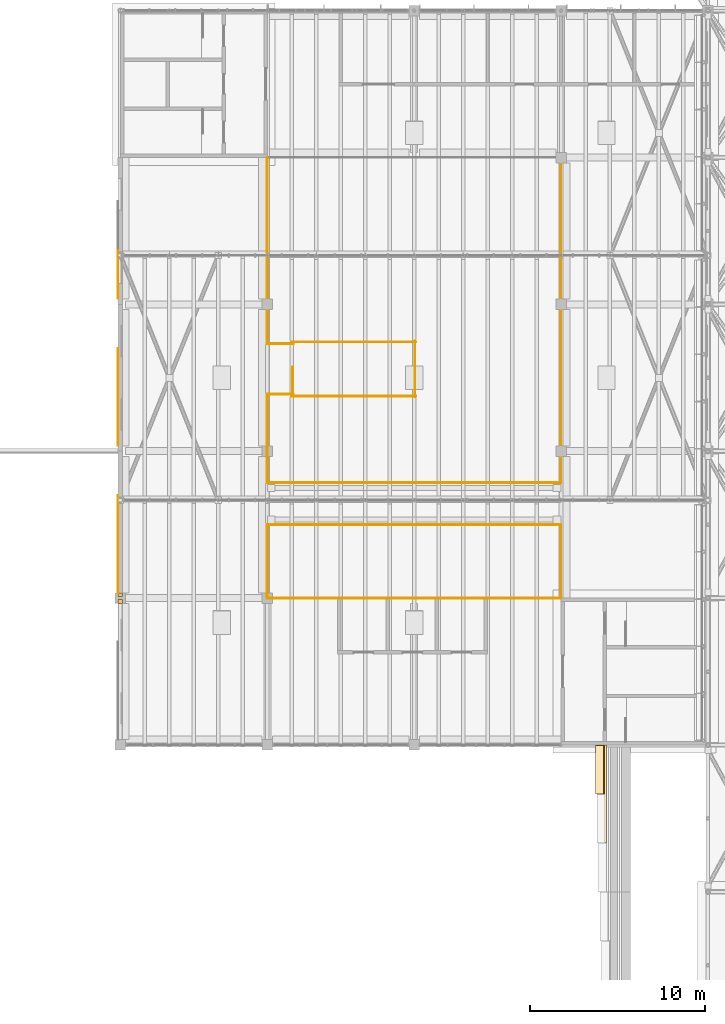
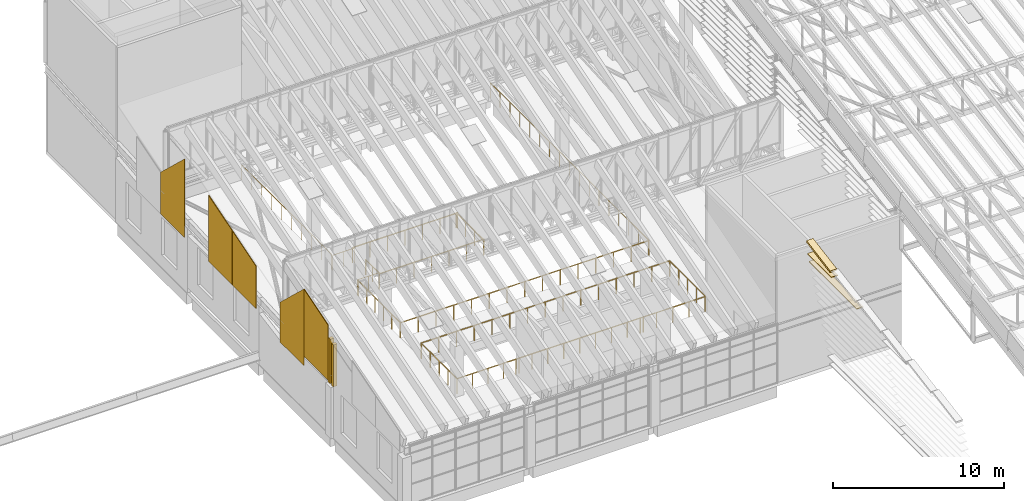
# One storey, part 77 of 91: 16 railings, 10 coverings.
"""IFC4 building model written with IfcOpenShell, lengths in metres."""

from ifc_helpers import new_model, si_unit, direction, frame, origin, origin_2d, place, context, subcontext, project, spatial, polyline, rectangle, circle, outline, extrude, material, layer, layer_set, material_profile, profile_set, type_object, element, save


model = new_model("IFC4")

# Units and contexts
model_context = context("Model", 3, precision=1e-05, world=origin(), true_north=direction((0.0, 1.0)))
body_context = subcontext(model_context, "Body", "Model", "MODEL_VIEW")
ifc_project = project(units=[si_unit("LENGTHUNIT", "METRE"), si_unit("AREAUNIT", "SQUARE_METRE"), si_unit("VOLUMEUNIT", "CUBIC_METRE"), si_unit("PLANEANGLEUNIT", "RADIAN"), si_unit("MASSUNIT", "GRAM", prefix="KILO")], contexts=[model_context])

# Site, building, storey
site_placement = place(None, origin())
site = spatial("IfcSite", under=ifc_project, at=site_placement, CompositionType="ELEMENT")
building_placement = place(site_placement, origin())
building = spatial("IfcBuilding", under=site, at=building_placement, Name="Almond Square Museum", CompositionType="ELEMENT")
storey_placement = place(building_placement, frame((0.0, 0.0, 30.0)))
storey = spatial("IfcBuildingStorey", under=building, at=storey_placement, Name="L05", CompositionType="ELEMENT", Elevation=30.0)

# Railings
ifc_material_1 = material(Name="Laminated glass and stainless steel", Category="steel")
railing_type_1 = type_object("IfcRailingType", Name="Atrium bridge guard 1100", PredefinedType="GUARDRAIL", material=ifc_material_1)
railing_1_placement = place(storey_placement, frame((81.60009765625, 79.800048828125, 0.0)))
element("IfcRailing", 1, at=railing_1_placement, inside=storey, type_object=railing_type_1, Name="BR-L05-1 bridge guard south", PredefinedType="GUARDRAIL", context=body_context, shape_type="SweptSolid", body=[
    extrude(circle(Radius=0.02392578125, at=origin_2d()), frame((0.0, 0.0, 1.076171875), z_axis=(1.0, 0.0, 0.0), x_axis=(0.0, 1.0, 0.0)), (0.0, 0.0, 1.0), 16.7998046875),
    extrude(circle(Radius=0.02099609375, at=origin_2d()), origin(), (0.0, 0.0, 1.0), 1.052001953125),
    extrude(circle(Radius=0.02099609375, at=origin_2d()), frame((1.199951171875, 0.0, 0.0)), (0.0, 0.0, 1.0), 1.052001953125),
    extrude(circle(Radius=0.02099609375, at=origin_2d()), frame((2.39990234375, 0.0, 0.0)), (0.0, 0.0, 1.0), 1.052001953125),
    extrude(circle(Radius=0.02099609375, at=origin_2d()), frame((3.599853515625, 0.0, 0.0)), (0.0, 0.0, 1.0), 1.052001953125),
    extrude(circle(Radius=0.02099609375, at=origin_2d()), frame((4.800048828125, 0.0, 0.0)), (0.0, 0.0, 1.0), 1.052001953125),
    extrude(circle(Radius=0.02099609375, at=origin_2d()), frame((6.0, 0.0, 0.0)), (0.0, 0.0, 1.0), 1.052001953125),
    extrude(circle(Radius=0.02099609375, at=origin_2d()), frame((7.199951171875, 0.0, 0.0)), (0.0, 0.0, 1.0), 1.052001953125),
    extrude(circle(Radius=0.02099609375, at=origin_2d()), frame((8.39990234375, 0.0, 0.0)), (0.0, 0.0, 1.0), 1.052001953125),
    extrude(circle(Radius=0.02099609375, at=origin_2d()), frame((9.599853515625, 0.0, 0.0)), (0.0, 0.0, 1.0), 1.052001953125),
    extrude(circle(Radius=0.02099609375, at=origin_2d()), frame((10.7998046875, 0.0, 0.0)), (0.0, 0.0, 1.0), 1.052001953125),
    extrude(circle(Radius=0.02099609375, at=origin_2d()), frame((11.999755859375, 0.0, 0.0)), (0.0, 0.0, 1.0), 1.052001953125),
    extrude(circle(Radius=0.02099609375, at=origin_2d()), frame((13.199951171875, 0.0, 0.0)), (0.0, 0.0, 1.0), 1.052001953125),
    extrude(circle(Radius=0.02099609375, at=origin_2d()), frame((14.39990234375, 0.0, 0.0)), (0.0, 0.0, 1.0), 1.052001953125),
    extrude(circle(Radius=0.02099609375, at=origin_2d()), frame((15.599853515625, 0.0, 0.0)), (0.0, 0.0, 1.0), 1.052001953125),
    extrude(circle(Radius=0.02099609375, at=origin_2d()), frame((16.7998046875, 0.0, 0.0)), (0.0, 0.0, 1.0), 1.052001953125),
])
railing_2_placement = place(storey_placement, frame((81.60009765625, 82.199951171875, 0.0)))
element("IfcRailing", 2, at=railing_2_placement, inside=storey, type_object=railing_type_1, Name="BR-L05-1 bridge guard north", PredefinedType="GUARDRAIL", context=body_context, shape_type="SweptSolid", body=[
    extrude(circle(Radius=0.02392578125, at=origin_2d()), frame((0.0, 0.0, 1.076171875), z_axis=(1.0, 0.0, 0.0), x_axis=(0.0, 1.0, 0.0)), (0.0, 0.0, 1.0), 16.7998046875),
    extrude(circle(Radius=0.02099609375, at=origin_2d()), origin(), (0.0, 0.0, 1.0), 1.052001953125),
    extrude(circle(Radius=0.02099609375, at=origin_2d()), frame((1.199951171875, 0.0, 0.0)), (0.0, 0.0, 1.0), 1.052001953125),
    extrude(circle(Radius=0.02099609375, at=origin_2d()), frame((2.39990234375, 0.0, 0.0)), (0.0, 0.0, 1.0), 1.052001953125),
    extrude(circle(Radius=0.02099609375, at=origin_2d()), frame((3.599853515625, 0.0, 0.0)), (0.0, 0.0, 1.0), 1.052001953125),
    extrude(circle(Radius=0.02099609375, at=origin_2d()), frame((4.800048828125, 0.0, 0.0)), (0.0, 0.0, 1.0), 1.052001953125),
    extrude(circle(Radius=0.02099609375, at=origin_2d()), frame((6.0, 0.0, 0.0)), (0.0, 0.0, 1.0), 1.052001953125),
    extrude(circle(Radius=0.02099609375, at=origin_2d()), frame((7.199951171875, 0.0, 0.0)), (0.0, 0.0, 1.0), 1.052001953125),
    extrude(circle(Radius=0.02099609375, at=origin_2d()), frame((8.39990234375, 0.0, 0.0)), (0.0, 0.0, 1.0), 1.052001953125),
    extrude(circle(Radius=0.02099609375, at=origin_2d()), frame((9.599853515625, 0.0, 0.0)), (0.0, 0.0, 1.0), 1.052001953125),
    extrude(circle(Radius=0.02099609375, at=origin_2d()), frame((10.7998046875, 0.0, 0.0)), (0.0, 0.0, 1.0), 1.052001953125),
    extrude(circle(Radius=0.02099609375, at=origin_2d()), frame((11.999755859375, 0.0, 0.0)), (0.0, 0.0, 1.0), 1.052001953125),
    extrude(circle(Radius=0.02099609375, at=origin_2d()), frame((13.199951171875, 0.0, 0.0)), (0.0, 0.0, 1.0), 1.052001953125),
    extrude(circle(Radius=0.02099609375, at=origin_2d()), frame((14.39990234375, 0.0, 0.0)), (0.0, 0.0, 1.0), 1.052001953125),
    extrude(circle(Radius=0.02099609375, at=origin_2d()), frame((15.599853515625, 0.0, 0.0)), (0.0, 0.0, 1.0), 1.052001953125),
    extrude(circle(Radius=0.02099609375, at=origin_2d()), frame((16.7998046875, 0.0, 0.0)), (0.0, 0.0, 1.0), 1.052001953125),
])
ifc_material_2 = material(Name="Laminated glass and stainless steel", Category="steel")
railing_type_2 = type_object("IfcRailingType", Name="Atrium guard 1100 glass balustrade", PredefinedType="GUARDRAIL", material=ifc_material_2)
railing_3_placement = place(storey_placement, frame((81.60009765625, 75.60009765625, 0.0)))
element("IfcRailing", 3, at=railing_3_placement, inside=storey, type_object=railing_type_2, Name="L05 atrium guard 1", PredefinedType="GUARDRAIL", context=body_context, shape_type="SweptSolid", body=[
    extrude(circle(Radius=0.02392578125, at=origin_2d()), frame((0.0, 0.0, 1.076171875), z_axis=(0.0, 1.0, 0.0), x_axis=(-1.0, 0.0, 0.0)), (0.0, 0.0, 1.0), 4.14990234375),
    extrude(circle(Radius=0.02099609375, at=origin_2d()), origin(), (0.0, 0.0, 1.0), 1.052001953125),
    extrude(circle(Radius=0.02099609375, at=origin_2d()), frame((0.0, 1.03759765625, 0.0)), (0.0, 0.0, 1.0), 1.052001953125),
    extrude(circle(Radius=0.02099609375, at=origin_2d()), frame((0.0, 2.074951171875, 0.0)), (0.0, 0.0, 1.0), 1.052001953125),
    extrude(circle(Radius=0.02099609375, at=origin_2d()), frame((0.0, 3.1123046875, 0.0)), (0.0, 0.0, 1.0), 1.052001953125),
    extrude(circle(Radius=0.02099609375, at=origin_2d()), frame((0.0, 4.14990234375, 0.0)), (0.0, 0.0, 1.0), 1.052001953125),
])
railing_4_placement = place(storey_placement, frame((81.60009765625, 82.25, 0.0)))
element("IfcRailing", 4, at=railing_4_placement, inside=storey, type_object=railing_type_2, Name="L05 atrium guard 2", PredefinedType="GUARDRAIL", context=body_context, shape_type="SweptSolid", body=[
    extrude(circle(Radius=0.02392578125, at=origin_2d()), frame((0.0, 0.0, 1.076171875), z_axis=(0.0, 1.0, 0.0), x_axis=(-1.0, 0.0, 0.0)), (0.0, 0.0, 1.0), 4.89990234375),
    extrude(circle(Radius=0.02099609375, at=origin_2d()), origin(), (0.0, 0.0, 1.0), 1.052001953125),
    extrude(circle(Radius=0.02099609375, at=origin_2d()), frame((0.0, 0.97998046875, 0.0)), (0.0, 0.0, 1.0), 1.052001953125),
    extrude(circle(Radius=0.02099609375, at=origin_2d()), frame((0.0, 1.9599609375, 0.0)), (0.0, 0.0, 1.0), 1.052001953125),
    extrude(circle(Radius=0.02099609375, at=origin_2d()), frame((0.0, 2.93994140625, 0.0)), (0.0, 0.0, 1.0), 1.052001953125),
    extrude(circle(Radius=0.02099609375, at=origin_2d()), frame((0.0, 3.919921875, 0.0)), (0.0, 0.0, 1.0), 1.052001953125),
    extrude(circle(Radius=0.02099609375, at=origin_2d()), frame((0.0, 4.89990234375, 0.0)), (0.0, 0.0, 1.0), 1.052001953125),
])
railing_5_placement = place(storey_placement, frame((81.60009765625, 90.25, 0.0)))
element("IfcRailing", 5, at=railing_5_placement, inside=storey, type_object=railing_type_2, Name="L05 atrium guard 3", PredefinedType="GUARDRAIL", context=body_context, shape_type="SweptSolid", body=[
    extrude(circle(Radius=0.02392578125, at=origin_2d()), frame((0.0, 0.0, 1.076171875), z_axis=(0.0, 1.0, 0.0), x_axis=(-1.0, 0.0, 0.0)), (0.0, 0.0, 1.0), 10.550048828125),
    extrude(circle(Radius=0.02099609375, at=origin_2d()), origin(), (0.0, 0.0, 1.0), 1.052001953125),
    extrude(circle(Radius=0.02099609375, at=origin_2d()), frame((0.0, 1.172119140625, 0.0)), (0.0, 0.0, 1.0), 1.052001953125),
    extrude(circle(Radius=0.02099609375, at=origin_2d()), frame((0.0, 2.344482421875, 0.0)), (0.0, 0.0, 1.0), 1.052001953125),
    extrude(circle(Radius=0.02099609375, at=origin_2d()), frame((0.0, 3.5166015625, 0.0)), (0.0, 0.0, 1.0), 1.052001953125),
    extrude(circle(Radius=0.02099609375, at=origin_2d()), frame((0.0, 4.68896484375, 0.0)), (0.0, 0.0, 1.0), 1.052001953125),
    extrude(circle(Radius=0.02099609375, at=origin_2d()), frame((0.0, 5.861083984375, 0.0)), (0.0, 0.0, 1.0), 1.052001953125),
    extrude(circle(Radius=0.02099609375, at=origin_2d()), frame((0.0, 7.033447265625, 0.0)), (0.0, 0.0, 1.0), 1.052001953125),
    extrude(circle(Radius=0.02099609375, at=origin_2d()), frame((0.0, 8.20556640625, 0.0)), (0.0, 0.0, 1.0), 1.052001953125),
    extrude(circle(Radius=0.02099609375, at=origin_2d()), frame((0.0, 9.3779296875, 0.0)), (0.0, 0.0, 1.0), 1.052001953125),
    extrude(circle(Radius=0.02099609375, at=origin_2d()), frame((0.0, 10.550048828125, 0.0)), (0.0, 0.0, 1.0), 1.052001953125),
])
railing_6_placement = place(storey_placement, frame((98.39990234375, 75.60009765625, 0.0)))
element("IfcRailing", 6, at=railing_6_placement, inside=storey, type_object=railing_type_2, Name="L05 atrium guard 4", PredefinedType="GUARDRAIL", context=body_context, shape_type="SweptSolid", body=[
    extrude(circle(Radius=0.02392578125, at=origin_2d()), frame((0.0, 0.0, 1.076171875), z_axis=(0.0, 1.0, 0.0), x_axis=(-1.0, 0.0, 0.0)), (0.0, 0.0, 1.0), 4.14990234375),
    extrude(circle(Radius=0.02099609375, at=origin_2d()), origin(), (0.0, 0.0, 1.0), 1.052001953125),
    extrude(circle(Radius=0.02099609375, at=origin_2d()), frame((0.0, 1.03759765625, 0.0)), (0.0, 0.0, 1.0), 1.052001953125),
    extrude(circle(Radius=0.02099609375, at=origin_2d()), frame((0.0, 2.074951171875, 0.0)), (0.0, 0.0, 1.0), 1.052001953125),
    extrude(circle(Radius=0.02099609375, at=origin_2d()), frame((0.0, 3.1123046875, 0.0)), (0.0, 0.0, 1.0), 1.052001953125),
    extrude(circle(Radius=0.02099609375, at=origin_2d()), frame((0.0, 4.14990234375, 0.0)), (0.0, 0.0, 1.0), 1.052001953125),
])
railing_7_placement = place(storey_placement, frame((98.39990234375, 82.25, 0.0)))
element("IfcRailing", 7, at=railing_7_placement, inside=storey, type_object=railing_type_2, Name="L05 atrium guard 5", PredefinedType="GUARDRAIL", context=body_context, shape_type="SweptSolid", body=[
    extrude(circle(Radius=0.02392578125, at=origin_2d()), frame((0.0, 0.0, 1.076171875), z_axis=(0.0, 1.0, 0.0), x_axis=(-1.0, 0.0, 0.0)), (0.0, 0.0, 1.0), 18.550048828125),
    extrude(circle(Radius=0.02099609375, at=origin_2d()), origin(), (0.0, 0.0, 1.0), 1.052001953125),
    extrude(circle(Radius=0.02099609375, at=origin_2d()), frame((0.0, 1.159423828125, 0.0)), (0.0, 0.0, 1.0), 1.052001953125),
    extrude(circle(Radius=0.02099609375, at=origin_2d()), frame((0.0, 2.31884765625, 0.0)), (0.0, 0.0, 1.0), 1.052001953125),
    extrude(circle(Radius=0.02099609375, at=origin_2d()), frame((0.0, 3.47802734375, 0.0)), (0.0, 0.0, 1.0), 1.052001953125),
    extrude(circle(Radius=0.02099609375, at=origin_2d()), frame((0.0, 4.637451171875, 0.0)), (0.0, 0.0, 1.0), 1.052001953125),
    extrude(circle(Radius=0.02099609375, at=origin_2d()), frame((0.0, 5.796875, 0.0)), (0.0, 0.0, 1.0), 1.052001953125),
    extrude(circle(Radius=0.02099609375, at=origin_2d()), frame((0.0, 6.956298828125, 0.0)), (0.0, 0.0, 1.0), 1.052001953125),
    extrude(circle(Radius=0.02099609375, at=origin_2d()), frame((0.0, 8.11572265625, 0.0)), (0.0, 0.0, 1.0), 1.052001953125),
    extrude(circle(Radius=0.02099609375, at=origin_2d()), frame((0.0, 9.27490234375, 0.0)), (0.0, 0.0, 1.0), 1.052001953125),
    extrude(circle(Radius=0.02099609375, at=origin_2d()), frame((0.0, 10.434326171875, 0.0)), (0.0, 0.0, 1.0), 1.052001953125),
    extrude(circle(Radius=0.02099609375, at=origin_2d()), frame((0.0, 11.59375, 0.0)), (0.0, 0.0, 1.0), 1.052001953125),
    extrude(circle(Radius=0.02099609375, at=origin_2d()), frame((0.0, 12.753173828125, 0.0)), (0.0, 0.0, 1.0), 1.052001953125),
    extrude(circle(Radius=0.02099609375, at=origin_2d()), frame((0.0, 13.91259765625, 0.0)), (0.0, 0.0, 1.0), 1.052001953125),
    extrude(circle(Radius=0.02099609375, at=origin_2d()), frame((0.0, 15.072021484375, 0.0)), (0.0, 0.0, 1.0), 1.052001953125),
    extrude(circle(Radius=0.02099609375, at=origin_2d()), frame((0.0, 16.231201171875, 0.0)), (0.0, 0.0, 1.0), 1.052001953125),
    extrude(circle(Radius=0.02099609375, at=origin_2d()), frame((0.0, 17.390625, 0.0)), (0.0, 0.0, 1.0), 1.052001953125),
    extrude(circle(Radius=0.02099609375, at=origin_2d()), frame((0.0, 18.550048828125, 0.0)), (0.0, 0.0, 1.0), 1.052001953125),
])
railing_8_placement = place(storey_placement, frame((81.60009765625, 75.60009765625, 0.0)))
element("IfcRailing", 8, at=railing_8_placement, inside=storey, type_object=railing_type_2, Name="L05 atrium guard 6", PredefinedType="GUARDRAIL", context=body_context, shape_type="SweptSolid", body=[
    extrude(circle(Radius=0.02392578125, at=origin_2d()), frame((0.0, 0.0, 1.076171875), z_axis=(1.0, 0.0, 0.0), x_axis=(0.0, 1.0, 0.0)), (0.0, 0.0, 1.0), 4.199951171875),
    extrude(circle(Radius=0.02099609375, at=origin_2d()), origin(), (0.0, 0.0, 1.0), 1.052001953125),
    extrude(circle(Radius=0.02099609375, at=origin_2d()), frame((1.050048828125, 0.0, 0.0)), (0.0, 0.0, 1.0), 1.052001953125),
    extrude(circle(Radius=0.02099609375, at=origin_2d()), frame((2.10009765625, 0.0, 0.0)), (0.0, 0.0, 1.0), 1.052001953125),
    extrude(circle(Radius=0.02099609375, at=origin_2d()), frame((3.14990234375, 0.0, 0.0)), (0.0, 0.0, 1.0), 1.052001953125),
    extrude(circle(Radius=0.02099609375, at=origin_2d()), frame((4.199951171875, 0.0, 0.0)), (0.0, 0.0, 1.0), 1.052001953125),
])
railing_9_placement = place(storey_placement, frame((94.0, 75.60009765625, 0.0)))
element("IfcRailing", 9, at=railing_9_placement, inside=storey, type_object=railing_type_2, Name="L05 atrium guard 7", PredefinedType="GUARDRAIL", context=body_context, shape_type="SweptSolid", body=[
    extrude(circle(Radius=0.02392578125, at=origin_2d()), frame((0.0, 0.0, 1.076171875), z_axis=(1.0, 0.0, 0.0), x_axis=(0.0, 1.0, 0.0)), (0.0, 0.0, 1.0), 4.39990234375),
    extrude(circle(Radius=0.02099609375, at=origin_2d()), origin(), (0.0, 0.0, 1.0), 1.052001953125),
    extrude(circle(Radius=0.02099609375, at=origin_2d()), frame((1.10009765625, 0.0, 0.0)), (0.0, 0.0, 1.0), 1.052001953125),
    extrude(circle(Radius=0.02099609375, at=origin_2d()), frame((2.199951171875, 0.0, 0.0)), (0.0, 0.0, 1.0), 1.052001953125),
    extrude(circle(Radius=0.02099609375, at=origin_2d()), frame((3.2998046875, 0.0, 0.0)), (0.0, 0.0, 1.0), 1.052001953125),
    extrude(circle(Radius=0.02099609375, at=origin_2d()), frame((4.39990234375, 0.0, 0.0)), (0.0, 0.0, 1.0), 1.052001953125),
])
railing_10_placement = place(storey_placement, frame((85.60009765625, 75.60009765625, 0.0)))
element("IfcRailing", 10, at=railing_10_placement, inside=storey, type_object=railing_type_2, Name="L05 atrium lift bank guard", PredefinedType="GUARDRAIL", context=body_context, shape_type="SweptSolid", body=[
    extrude(circle(Radius=0.02392578125, at=origin_2d()), frame((0.0, 0.0, 1.076171875), z_axis=(1.0, 0.0, 0.0), x_axis=(0.0, 1.0, 0.0)), (0.0, 0.0, 1.0), 8.599853515625),
    extrude(circle(Radius=0.02099609375, at=origin_2d()), origin(), (0.0, 0.0, 1.0), 1.052001953125),
    extrude(circle(Radius=0.02099609375, at=origin_2d()), frame((1.074951171875, 0.0, 0.0)), (0.0, 0.0, 1.0), 1.052001953125),
    extrude(circle(Radius=0.02099609375, at=origin_2d()), frame((2.14990234375, 0.0, 0.0)), (0.0, 0.0, 1.0), 1.052001953125),
    extrude(circle(Radius=0.02099609375, at=origin_2d()), frame((3.224853515625, 0.0, 0.0)), (0.0, 0.0, 1.0), 1.052001953125),
    extrude(circle(Radius=0.02099609375, at=origin_2d()), frame((4.2998046875, 0.0, 0.0)), (0.0, 0.0, 1.0), 1.052001953125),
    extrude(circle(Radius=0.02099609375, at=origin_2d()), frame((5.375, 0.0, 0.0)), (0.0, 0.0, 1.0), 1.052001953125),
    extrude(circle(Radius=0.02099609375, at=origin_2d()), frame((6.449951171875, 0.0, 0.0)), (0.0, 0.0, 1.0), 1.052001953125),
    extrude(circle(Radius=0.02099609375, at=origin_2d()), frame((7.52490234375, 0.0, 0.0)), (0.0, 0.0, 1.0), 1.052001953125),
    extrude(circle(Radius=0.02099609375, at=origin_2d()), frame((8.599853515625, 0.0, 0.0)), (0.0, 0.0, 1.0), 1.052001953125),
])

# Coverings
ifc_material_3 = material(Name="Cedar timber fascia board", Category="wood")
ifc_layer_1 = layer(ifc_material_3, 0.0400390625)
ifc_layer_set_1 = layer_set([ifc_layer_1], Name="Cedar timber fascia board")
covering_type_1 = type_object("IfcCoveringType", Name="Atrium roof edge fascia 40", PredefinedType="CLADDING", material=ifc_layer_set_1)
covering_1_placement = place(storey_placement, frame((73.06591796875, 75.909912109375, 3.800048828125), z_axis=(1.0, 0.0, 0.0), x_axis=(0.0, 1.0, 0.0)))
element("IfcCovering", 11, at=covering_1_placement, inside=storey, type_object=covering_type_1, Name="Atrium gable panel 3", PredefinedType="CLADDING", context=body_context, shape_type="SweptSolid", body=[
    extrude(outline(polyline([(0.0, 0.0), (2.780029296875, 0.0), (2.780029296875, 4.7958984375), (0.0, 3.93994140625), (0.0, 0.0)])), frame((0.0, 0.0, -0.02001953125)), (0.0, 0.0, 1.0), 0.0400390625),
])
covering_2_placement = place(storey_placement, frame((73.06591796875, 78.7099609375, 3.1142578125), z_axis=(1.0, 0.0, 0.0), x_axis=(0.0, 1.0, 0.0)))
element("IfcCovering", 12, at=covering_2_placement, inside=storey, type_object=covering_type_1, Name="Atrium gable panel 4", PredefinedType="CLADDING", context=body_context, shape_type="SweptSolid", body=[
    extrude(outline(polyline([(0.0, 0.0), (2.780029296875, 0.0), (2.780029296875, 2.857421875), (0.0, 5.481689453125), (0.0, 0.0)])), frame((0.0, 0.0, -0.02001953125)), (0.0, 0.0, 1.0), 0.0400390625),
])
covering_3_placement = place(storey_placement, frame((73.06591796875, 84.31005859375, 3.800048828125), z_axis=(1.0, 0.0, 0.0), x_axis=(0.0, 1.0, 0.0)))
element("IfcCovering", 13, at=covering_3_placement, inside=storey, type_object=covering_type_1, Name="Atrium gable panel 5", PredefinedType="CLADDING", context=body_context, shape_type="SweptSolid", body=[
    extrude(outline(polyline([(0.0, 0.0), (2.780029296875, 0.0), (2.780029296875, 3.8837890625), (0.0, 3.02783203125), (0.0, 0.0)])), frame((0.0, 0.0, -0.02001953125)), (0.0, 0.0, 1.0), 0.0400390625),
])
covering_4_placement = place(storey_placement, frame((73.06591796875, 87.110107421875, 3.800048828125), z_axis=(1.0, 0.0, 0.0), x_axis=(0.0, 1.0, 0.0)))
element("IfcCovering", 14, at=covering_4_placement, inside=storey, type_object=covering_type_1, Name="Atrium gable panel 6", PredefinedType="CLADDING", context=body_context, shape_type="SweptSolid", body=[
    extrude(outline(polyline([(0.0, 0.0), (2.77978515625, 0.0), (2.77978515625, 4.73974609375), (0.0, 3.8837890625), (0.0, 0.0)])), frame((0.0, 0.0, -0.02001953125)), (0.0, 0.0, 1.0), 0.0400390625),
])
covering_5_placement = place(storey_placement, frame((73.06591796875, 92.7099609375, 3.800048828125), z_axis=(1.0, 0.0, 0.0), x_axis=(0.0, 1.0, 0.0)))
element("IfcCovering", 15, at=covering_5_placement, inside=storey, type_object=covering_type_1, Name="Atrium gable panel 7", PredefinedType="CLADDING", context=body_context, shape_type="SweptSolid", body=[
    extrude(outline(polyline([(0.0, 0.0), (2.780029296875, 0.0), (2.780029296875, 2.9716796875), (0.0, 5.595947265625), (0.0, 0.0)])), frame((0.0, 0.0, -0.02001953125)), (0.0, 0.0, 1.0), 0.0400390625),
])
ifc_material_4 = material(Name="Cedar timber louvre board", Category="wood")
ifc_material_profile_1 = material_profile(ifc_material_4, rectangle(XDim=0.449951171875, YDim=0.050048828125, at=origin_2d()))
ifc_profile_set_1 = profile_set([ifc_material_profile_1], Name="Cedar timber louvre board")
covering_type_2 = type_object("IfcCoveringType", Name="Louvre board 450 x 50", PredefinedType="CLADDING", material=ifc_profile_set_1)
covering_6_placement = place(storey_placement, frame((100.780517578125, 61.60009765625, 7.89990234375), z_axis=(0.0, 1.0, 0.0), x_axis=(-1.0, 0.0, 0.0)))
element("IfcCovering", 16, at=covering_6_placement, inside=storey, type_object=covering_type_2, Name="Louvre board W52.01", PredefinedType="CLADDING", context=body_context, shape_type="SweptSolid", body=[
    extrude(rectangle(XDim=0.449951171875, YDim=0.050048828125, at=origin_2d()), origin(), (0.0, 0.0, 1.0), 5.599853515625),
])
covering_7_placement = place(storey_placement, frame((100.6748046875, 64.39990234375, 8.5), z_axis=(0.0, 1.0, 0.0), x_axis=(-1.0, 0.0, 0.0)))
element("IfcCovering", 17, at=covering_7_placement, inside=storey, type_object=covering_type_2, Name="Louvre board W53.01", PredefinedType="CLADDING", context=body_context, shape_type="SweptSolid", body=[
    extrude(rectangle(XDim=0.449951171875, YDim=0.050048828125, at=origin_2d()), origin(), (0.0, 0.0, 1.0), 2.800048828125),
])
ifc_material_5 = material(Name="Cedar timber louvre board", Category="wood")
ifc_material_profile_2 = material_profile(ifc_material_5, rectangle(XDim=0.449951171875, YDim=0.139892578125, at=origin_2d()))
ifc_profile_set_2 = profile_set([ifc_material_profile_2], Name="Cedar timber louvre board")
covering_type_3 = type_object("IfcCoveringType", Name="Louvre skin fascia 450 x 140", PredefinedType="CLADDING", material=ifc_profile_set_2)
covering_8_placement = place(storey_placement, frame((100.598876953125, 64.409912109375, 8.929931640625), z_axis=(0.0, 0.984923430641, 0.172990854596), x_axis=(-1.0, 0.0, 0.0)))
element("IfcCovering", 18, at=covering_8_placement, inside=storey, type_object=covering_type_3, Name="Louvre skin fascia W06", PredefinedType="CLADDING", context=body_context, shape_type="SweptSolid", body=[
    extrude(rectangle(XDim=0.449951171875, YDim=0.139892578125, at=origin_2d()), origin(), (0.0, 0.0, 1.0), 2.822509765625),
])

# Railings
ifc_material_6 = material(Name="Stainless steel and laminated glass", Category="steel")
railing_type_3 = type_object("IfcRailingType", Name="Stair guard 1100 steel and glass", PredefinedType="GUARDRAIL", material=ifc_material_6)
railing_11_placement = place(storey_placement, frame((83.050048828125, 87.199951171875, 0.0)))
element("IfcRailing", 19, at=railing_11_placement, inside=storey, type_object=railing_type_3, Name="L05 ST-F top well guard 1", PredefinedType="GUARDRAIL", context=body_context, shape_type="SweptSolid", body=[
    extrude(circle(Radius=0.02392578125, at=origin_2d()), frame((0.0, 0.0, 1.076171875), z_axis=(0.0, 1.0, 0.0), x_axis=(-1.0, 0.0, 0.0)), (0.0, 0.0, 1.0), 1.60009765625),
    extrude(circle(Radius=0.02099609375, at=origin_2d()), origin(), (0.0, 0.0, 1.0), 1.052001953125),
    extrude(circle(Radius=0.02099609375, at=origin_2d()), frame((0.0, 0.800048828125, 0.0)), (0.0, 0.0, 1.0), 1.052001953125),
    extrude(circle(Radius=0.02099609375, at=origin_2d()), frame((0.0, 1.60009765625, 0.0)), (0.0, 0.0, 1.0), 1.052001953125),
])
for number, where, name in (
    (20, (83.0, 87.14990234375, 0.0), "L05 ST-F top well guard 2"),
    (21, (83.0, 90.25, 0.0), "L05 ST-F top well guard 3"),
):
    element("IfcRailing", number, at=place(storey_placement, frame(where)), inside=storey, type_object=railing_type_3, Name=name, PredefinedType="GUARDRAIL", context=body_context, shape_type="SweptSolid", body=[
        extrude(circle(Radius=0.02392578125, at=origin_2d()), frame((0.0, 0.0, 1.076171875), z_axis=(1.0, 0.0, 0.0), x_axis=(0.0, 1.0, 0.0)), (0.0, 0.0, 1.0), 7.10009765625),
        extrude(circle(Radius=0.02099609375, at=origin_2d()), origin(), (0.0, 0.0, 1.0), 1.052001953125),
        extrude(circle(Radius=0.02099609375, at=origin_2d()), frame((1.183349609375, 0.0, 0.0)), (0.0, 0.0, 1.0), 1.052001953125),
        extrude(circle(Radius=0.02099609375, at=origin_2d()), frame((2.36669921875, 0.0, 0.0)), (0.0, 0.0, 1.0), 1.052001953125),
        extrude(circle(Radius=0.02099609375, at=origin_2d()), frame((3.550048828125, 0.0, 0.0)), (0.0, 0.0, 1.0), 1.052001953125),
        extrude(circle(Radius=0.02099609375, at=origin_2d()), frame((4.7333984375, 0.0, 0.0)), (0.0, 0.0, 1.0), 1.052001953125),
        extrude(circle(Radius=0.02099609375, at=origin_2d()), frame((5.916748046875, 0.0, 0.0)), (0.0, 0.0, 1.0), 1.052001953125),
        extrude(circle(Radius=0.02099609375, at=origin_2d()), frame((7.10009765625, 0.0, 0.0)), (0.0, 0.0, 1.0), 1.052001953125),
    ])
railing_12_placement = place(storey_placement, frame((90.050048828125, 87.10009765625, 0.0)))
element("IfcRailing", 22, at=railing_12_placement, inside=storey, type_object=railing_type_3, Name="L05 ST-F top well guard 4", PredefinedType="GUARDRAIL", context=body_context, shape_type="SweptSolid", body=[
    extrude(circle(Radius=0.02392578125, at=origin_2d()), frame((0.0, 0.0, 1.076171875), z_axis=(0.0, 1.0, 0.0), x_axis=(-1.0, 0.0, 0.0)), (0.0, 0.0, 1.0), 3.199951171875),
    extrude(circle(Radius=0.02099609375, at=origin_2d()), origin(), (0.0, 0.0, 1.0), 1.052001953125),
    extrude(circle(Radius=0.02099609375, at=origin_2d()), frame((0.0, 1.066650390625, 0.0)), (0.0, 0.0, 1.0), 1.052001953125),
    extrude(circle(Radius=0.02099609375, at=origin_2d()), frame((0.0, 2.13330078125, 0.0)), (0.0, 0.0, 1.0), 1.052001953125),
    extrude(circle(Radius=0.02099609375, at=origin_2d()), frame((0.0, 3.199951171875, 0.0)), (0.0, 0.0, 1.0), 1.052001953125),
])
for number, where, name in (
    (23, (81.60009765625, 87.25, 0.0), "L05 ST-F top well guard 5"),
    (24, (81.60009765625, 90.14990234375, 0.0), "L05 ST-F top well guard 6"),
):
    element("IfcRailing", number, at=place(storey_placement, frame(where)), inside=storey, type_object=railing_type_3, Name=name, PredefinedType="GUARDRAIL", context=body_context, shape_type="SweptSolid", body=[
        extrude(circle(Radius=0.02392578125, at=origin_2d()), frame((0.0, 0.0, 1.076171875), z_axis=(1.0, 0.0, 0.0), x_axis=(0.0, 1.0, 0.0)), (0.0, 0.0, 1.0), 1.5),
        extrude(circle(Radius=0.02099609375, at=origin_2d()), origin(), (0.0, 0.0, 1.0), 1.052001953125),
        extrude(circle(Radius=0.02099609375, at=origin_2d()), frame((0.75, 0.0, 0.0)), (0.0, 0.0, 1.0), 1.052001953125),
        extrude(circle(Radius=0.02099609375, at=origin_2d()), frame((1.5, 0.0, 0.0)), (0.0, 0.0, 1.0), 1.052001953125),
    ])

# Coverings
ifc_material_7 = material(Name="Cladding panel to match the wall")
ifc_layer_2 = layer(ifc_material_7, 0.050048828125)
ifc_layer_set_2 = layer_set([ifc_layer_2], Name="Cladding panel to match the wall")
covering_type_4 = type_object("IfcCoveringType", Name="Wall end closure panel", PredefinedType="CLADDING", material=ifc_layer_set_2)
covering_9_placement = place(storey_placement, frame((73.199951171875, 75.7900390625, 3.6533203125), z_axis=(0.0, 0.0, 1.0), x_axis=(1.0, 0.0, 0.0)))
element("IfcCovering", 25, at=covering_9_placement, inside=storey, type_object=covering_type_4, Name="Wall end closure panel", PredefinedType="CLADDING", context=body_context, shape_type="SweptSolid", body=[
    extrude(rectangle(XDim=0.260009765625, YDim=0.219970703125, at=origin_2d()), origin(), (0.0, 0.0, 1.0), 3.170166015625),
])
covering_10_placement = place(storey_placement, frame((73.199951171875, 75.409912109375, 3.653076171875), z_axis=(0.0, 0.0, 1.0), x_axis=(1.0, 0.0, 0.0)))
element("IfcCovering", 26, at=covering_10_placement, inside=storey, type_object=covering_type_4, Name="Wall end closure panel", PredefinedType="CLADDING", context=body_context, shape_type="SweptSolid", body=[
    extrude(rectangle(XDim=0.260009765625, YDim=0.219970703125, at=origin_2d()), origin(), (0.0, 0.0, 1.0), 2.98681640625),
])

save(model, "model.ifc")
